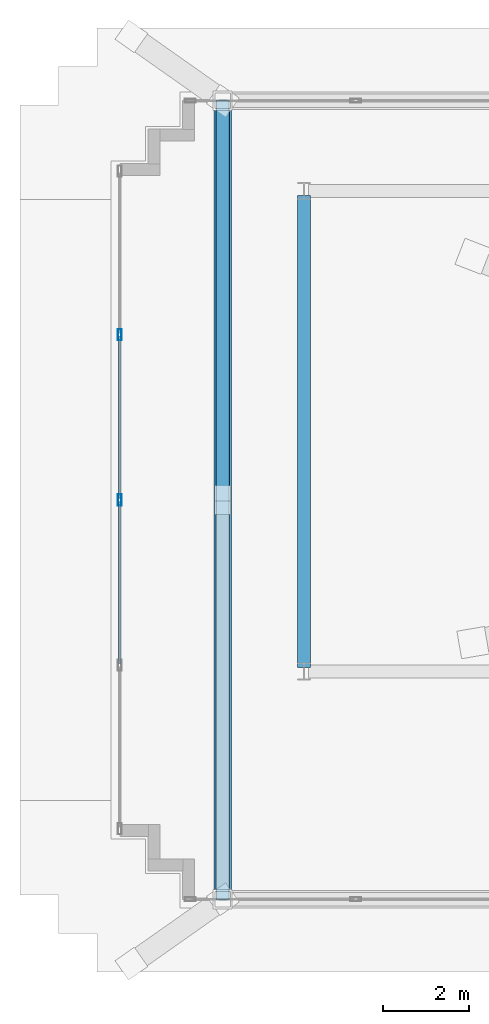
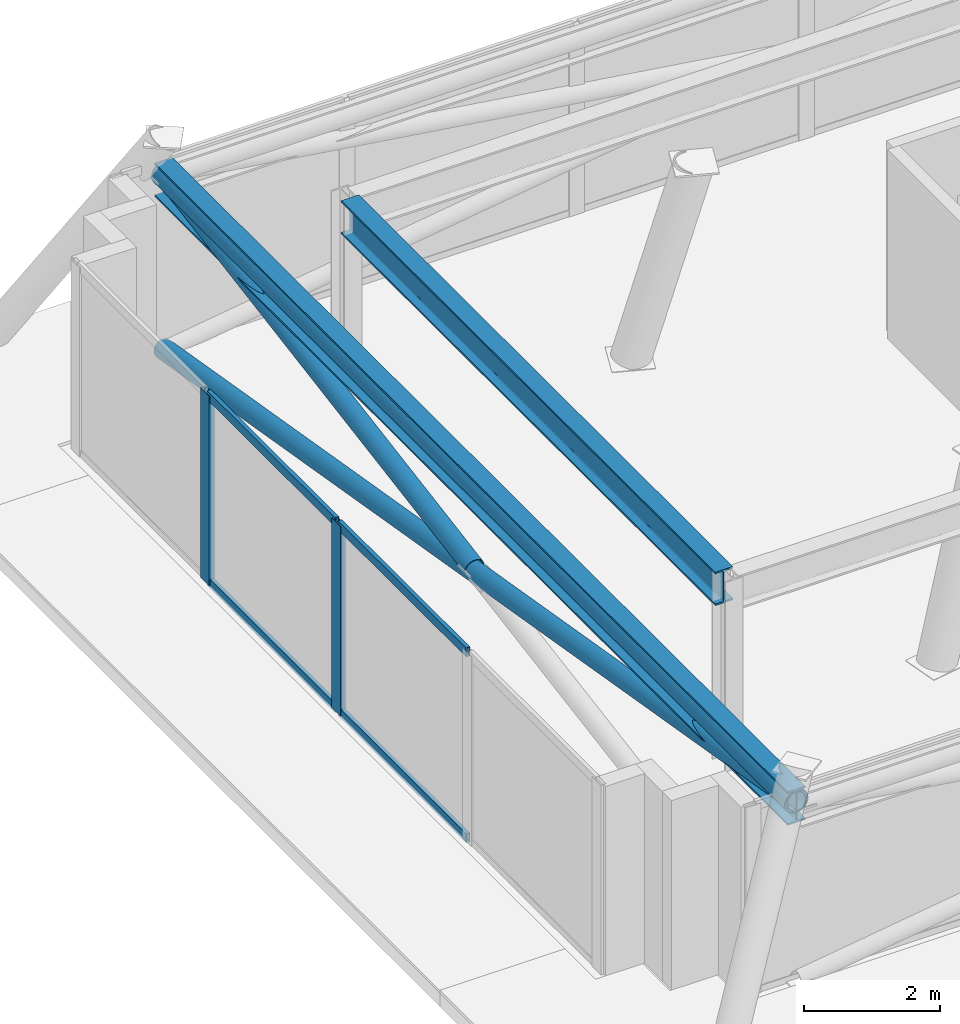
# One storey, part 4 of 13: 9 members, 2 beams, 1 element without a shape of its own.
"""IFC4 building model written with IfcOpenShell, lengths in metres."""

from ifc_helpers import new_model, si_unit, direction, frame, origin, origin_2d, place, context, subcontext, project, spatial, hollow_rectangle, hollow_circle, i_section, extrude, material, layer, layer_set, material_profile, profile_set, type_object, element, aggregate, save


model = new_model("IFC4")

# Units and contexts
model_context = context("Model", 3, precision=1e-05, world=origin(), true_north=direction((0.0, 1.0)))
body_context = subcontext(model_context, "Body", "Model", "MODEL_VIEW")
ifc_project = project(units=[si_unit("LENGTHUNIT", "METRE"), si_unit("AREAUNIT", "SQUARE_METRE"), si_unit("VOLUMEUNIT", "CUBIC_METRE"), si_unit("PLANEANGLEUNIT", "RADIAN"), si_unit("MASSUNIT", "GRAM", prefix="KILO")], contexts=[model_context])

# Site, building, storey
site_placement = place(None, origin())
site = spatial("IfcSite", under=ifc_project, at=site_placement, CompositionType="ELEMENT")
building_placement = place(site_placement, origin())
building = spatial("IfcBuilding", under=site, at=building_placement, Name="Qobustan Lattice House", CompositionType="ELEMENT")
storey_placement = place(building_placement, frame((0.0, 0.0, 285.39990234375)))
storey = spatial("IfcBuildingStorey", under=building, at=storey_placement, Name="L80", CompositionType="ELEMENT", Elevation=285.39990234375)

# Beams
ifc_material_1 = material(Name="Steel S355", Category="steel")
ifc_material_profile_1 = material_profile(ifc_material_1, i_section(OverallWidth=0.300048828125, OverallDepth=0.60009765625, WebThickness=0.015380859375, FlangeThickness=0.030029296875, FilletRadius=0.027099609375, at=origin_2d()), Name="HEB600")
ifc_profile_set_1 = profile_set([ifc_material_profile_1], Name="Steel S355")
beam_type = type_object("IfcBeamType", Name="BM-POD-HEB600", PredefinedType="USERDEFINED", material=ifc_profile_set_1)
beam_1_placement = place(storey_placement, frame((-9.199951171875, 5.5, 3.10009765625), z_axis=(0.0, -1.0, 0.0), x_axis=(1.0, 0.0, 0.0)))
element("IfcBeam", 1, at=beam_1_placement, inside=storey, type_object=beam_type, Name="L80 crown support ring girder 4", ObjectType="GIRDER", PredefinedType="USERDEFINED", context=body_context, shape_type="SweptSolid", body=[
    extrude(i_section(OverallWidth=0.300048828125, OverallDepth=0.60009765625, WebThickness=0.015380859375, FlangeThickness=0.030029296875, FilletRadius=0.027099609375, at=origin_2d()), origin(), (0.0, 0.0, 1.0), 11.0),
])
beam_2_placement = place(storey_placement, frame((-11.093505859375, 7.70654296875, 3.10009765625), z_axis=(0.0, -1.0, 0.0), x_axis=(1.0, 0.0, 0.0)))
element("IfcBeam", 2, at=beam_2_placement, inside=storey, type_object=beam_type, Name="L80 crown perimeter ring beam 4", ObjectType="GIRDER", PredefinedType="USERDEFINED", context=body_context, shape_type="SweptSolid", body=[
    extrude(i_section(OverallWidth=0.300048828125, OverallDepth=0.60009765625, WebThickness=0.015380859375, FlangeThickness=0.030029296875, FilletRadius=0.027099609375, at=origin_2d()), origin(), (0.0, 0.0, 1.0), 18.613037109375),
])

# Curtain wall, members
ifc_material_2 = material(Name="Anodised aluminium and low-E glazing", Category="aluminium")
ifc_layer = layer(ifc_material_2, 0.219970703125)
ifc_layer_set = layer_set([ifc_layer], Name="Anodised aluminium and low-E glazing")
curtain_wall_type = type_object("IfcCurtainWallType", Name="CW-CRN-01", PredefinedType="USERDEFINED", material=ifc_layer_set)
curtain_wall_placement = place(storey_placement, origin())
curtain_wall = element("IfcCurtainWall", 3, at=curtain_wall_placement, inside=storey, type_object=curtain_wall_type, Name="L80 glass-point crown faceted curtain wall 5", ObjectType="CURTAIN WALL", PredefinedType="USERDEFINED")
ifc_material_3 = material(Name="Anodised aluminium EN AW-6063 T6", Category="aluminium")
ifc_material_profile_2 = material_profile(ifc_material_3, hollow_rectangle(XDim=0.090087890625, YDim=0.260009765625, WallThickness=0.006103515625, at=origin_2d()), Name="CWM-CROWN-260x90")
ifc_profile_set_2 = profile_set([ifc_material_profile_2], Name="Anodised aluminium EN AW-6063 T6")
member_type_1 = type_object("IfcMemberType", Name="CWM-CRN-260", PredefinedType="MULLION", material=ifc_profile_set_2)
member_1_placement = place(storey_placement, frame((-13.493408203125, -1.60009765625, 0.0), z_axis=(0.0, 0.0, 1.0), x_axis=(-1.0, 0.0, 0.0)))
member_1 = element("IfcMember", 4, at=member_1_placement, type_object=member_type_1, Name="CW-CR mullion 3", PredefinedType="MULLION", context=body_context, shape_type="SweptSolid", body=[
    extrude(hollow_rectangle(XDim=0.090087890625, YDim=0.260009765625, WallThickness=0.006103515625, at=origin_2d()), origin(), (0.0, 0.0, 1.0), 3.400146484375),
])
member_2_placement = place(storey_placement, frame((-13.493408203125, 2.253173828125, 0.0), z_axis=(0.0, 0.0, 1.0), x_axis=(-1.0, 0.0, 0.0)))
member_2 = element("IfcMember", 5, at=member_2_placement, type_object=member_type_1, Name="CW-CR mullion 4", PredefinedType="MULLION", context=body_context, shape_type="SweptSolid", body=[
    extrude(hollow_rectangle(XDim=0.090087890625, YDim=0.260009765625, WallThickness=0.006103515625, at=origin_2d()), origin(), (0.0, 0.0, 1.0), 3.400146484375),
])
ifc_material_4 = material(Name="Anodised aluminium EN AW-6063 T6", Category="aluminium")
ifc_material_profile_3 = material_profile(ifc_material_4, hollow_rectangle(XDim=0.06494140625, YDim=0.159912109375, WallThickness=0.00390625, at=origin_2d()), Name="CWT-160x65")
ifc_profile_set_3 = profile_set([ifc_material_profile_3], Name="Anodised aluminium EN AW-6063 T6")
member_type_2 = type_object("IfcMemberType", Name="CWT-HOR-160", PredefinedType="USERDEFINED", material=ifc_profile_set_3)
member_3_placement = place(storey_placement, frame((-13.493408203125, -5.408203125, 0.03271484375), z_axis=(0.0, 1.0, 0.0), x_axis=(-1.0, 0.0, 0.0)))
member_3 = element("IfcMember", 6, at=member_3_placement, type_object=member_type_2, Name="CW-CR transom 2.1", ObjectType="TRANSOM", PredefinedType="USERDEFINED", context=body_context, shape_type="SweptSolid", body=[
    extrude(hollow_rectangle(XDim=0.06494140625, YDim=0.159912109375, WallThickness=0.00390625, at=origin_2d()), origin(), (0.0, 0.0, 1.0), 3.76318359375),
])
member_4_placement = place(storey_placement, frame((-13.493408203125, -5.408203125, 3.36767578125), z_axis=(0.0, 1.0, 0.0), x_axis=(-1.0, 0.0, 0.0)))
member_4 = element("IfcMember", 7, at=member_4_placement, type_object=member_type_2, Name="CW-CR transom 2.2", ObjectType="TRANSOM", PredefinedType="USERDEFINED", context=body_context, shape_type="SweptSolid", body=[
    extrude(hollow_rectangle(XDim=0.06494140625, YDim=0.159912109375, WallThickness=0.00390625, at=origin_2d()), origin(), (0.0, 0.0, 1.0), 3.76318359375),
])
member_5_placement = place(storey_placement, frame((-13.493408203125, -1.554931640625, 0.03271484375), z_axis=(0.0, 1.0, 0.0), x_axis=(-1.0, 0.0, 0.0)))
member_5 = element("IfcMember", 8, at=member_5_placement, type_object=member_type_2, Name="CW-CR transom 3.1", ObjectType="TRANSOM", PredefinedType="USERDEFINED", context=body_context, shape_type="SweptSolid", body=[
    extrude(hollow_rectangle(XDim=0.06494140625, YDim=0.159912109375, WallThickness=0.00390625, at=origin_2d()), origin(), (0.0, 0.0, 1.0), 3.76318359375),
])
member_6_placement = place(storey_placement, frame((-13.493408203125, -1.554931640625, 3.36767578125), z_axis=(0.0, 1.0, 0.0), x_axis=(-1.0, 0.0, 0.0)))
member_6 = element("IfcMember", 9, at=member_6_placement, type_object=member_type_2, Name="CW-CR transom 3.2", ObjectType="TRANSOM", PredefinedType="USERDEFINED", context=body_context, shape_type="SweptSolid", body=[
    extrude(hollow_rectangle(XDim=0.06494140625, YDim=0.159912109375, WallThickness=0.00390625, at=origin_2d()), origin(), (0.0, 0.0, 1.0), 3.76318359375),
])
aggregate(curtain_wall, [member_1, member_2, member_3, member_4, member_5, member_6])

# Members
ifc_material_5 = material(Name="Steel S355", Category="steel")
ifc_material_profile_4 = material_profile(ifc_material_5, hollow_circle(Radius=0.161865234375, WallThickness=0.012451171875, at=origin_2d()), Name="CHS323.9x12.5")
ifc_profile_set_4 = profile_set([ifc_material_profile_4], Name="Steel S355")
member_type_3 = type_object("IfcMemberType", Name="MEM-CBR-CHS324", PredefinedType="BRACE", material=ifc_profile_set_4)
member_7_placement = place(storey_placement, frame((-11.093505859375, 7.70654296875, 0.01513671875), z_axis=(0.0, -0.985848645657, 0.167637847326), x_axis=(1.0, 0.0, 0.0)))
element("IfcMember", 10, at=member_7_placement, inside=storey, type_object=member_type_3, Name="L80 crown diagrid continuous brace 4A", PredefinedType="BRACE", context=body_context, shape_type="SweptSolid", body=[
    extrude(hollow_circle(Radius=0.161865234375, WallThickness=0.012451171875, at=origin_2d()), origin(), (0.0, 0.0, 1.0), 18.880126953125),
])
member_8_placement = place(storey_placement, frame((-11.093505859375, -1.434326171875, 1.625732421875), z_axis=(0.0, 0.985847013813, 0.16764744363), x_axis=(-1.0, 0.0, 0.0)))
element("IfcMember", 11, at=member_8_placement, inside=storey, type_object=member_type_3, Name="L80 crown diagrid split brace 4B upper", PredefinedType="BRACE", context=body_context, shape_type="SweptSolid", body=[
    extrude(hollow_circle(Radius=0.161865234375, WallThickness=0.012451171875, at=origin_2d()), origin(), (0.0, 0.0, 1.0), 9.272216796875),
])
ifc_material_6 = material(Name="Steel S355", Category="steel")
ifc_material_profile_5 = material_profile(ifc_material_6, hollow_circle(Radius=0.203125, WallThickness=0.01611328125, at=origin_2d()), Name="CHS406.4x16")
ifc_profile_set_5 = profile_set([ifc_material_profile_5], Name="Steel S355")
member_type_4 = type_object("IfcMemberType", Name="MEM-RNG-CHS406", PredefinedType="CHORD", material=ifc_profile_set_5)
member_9_placement = place(storey_placement, frame((-11.093505859375, 7.70654296875, 3.18017578125), z_axis=(0.0, -1.0, 0.0), x_axis=(1.0, 0.0, 0.0)))
element("IfcMember", 12, at=member_9_placement, inside=storey, type_object=member_type_4, Name="L80 crown ring chord 4", PredefinedType="CHORD", context=body_context, shape_type="SweptSolid", body=[
    extrude(hollow_circle(Radius=0.203125, WallThickness=0.01611328125, at=origin_2d()), origin(), (0.0, 0.0, 1.0), 18.613037109375),
])

save(model, "model.ifc")
